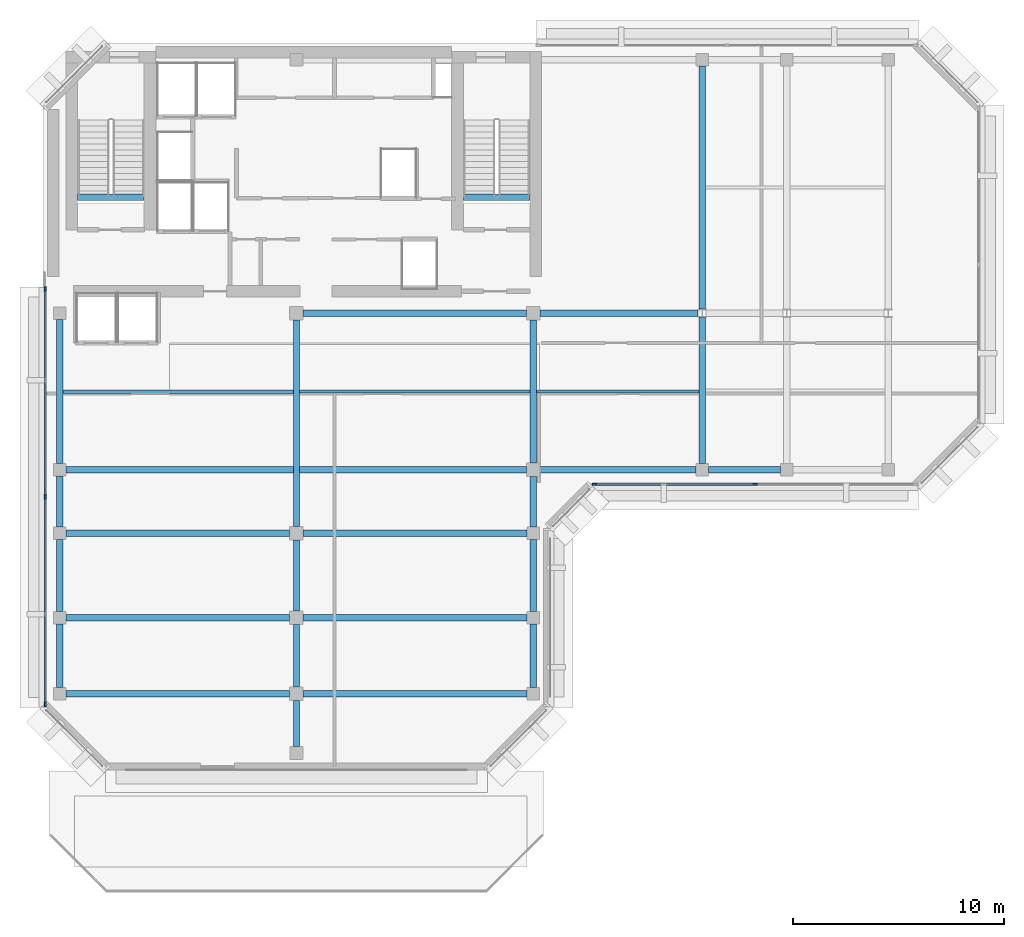
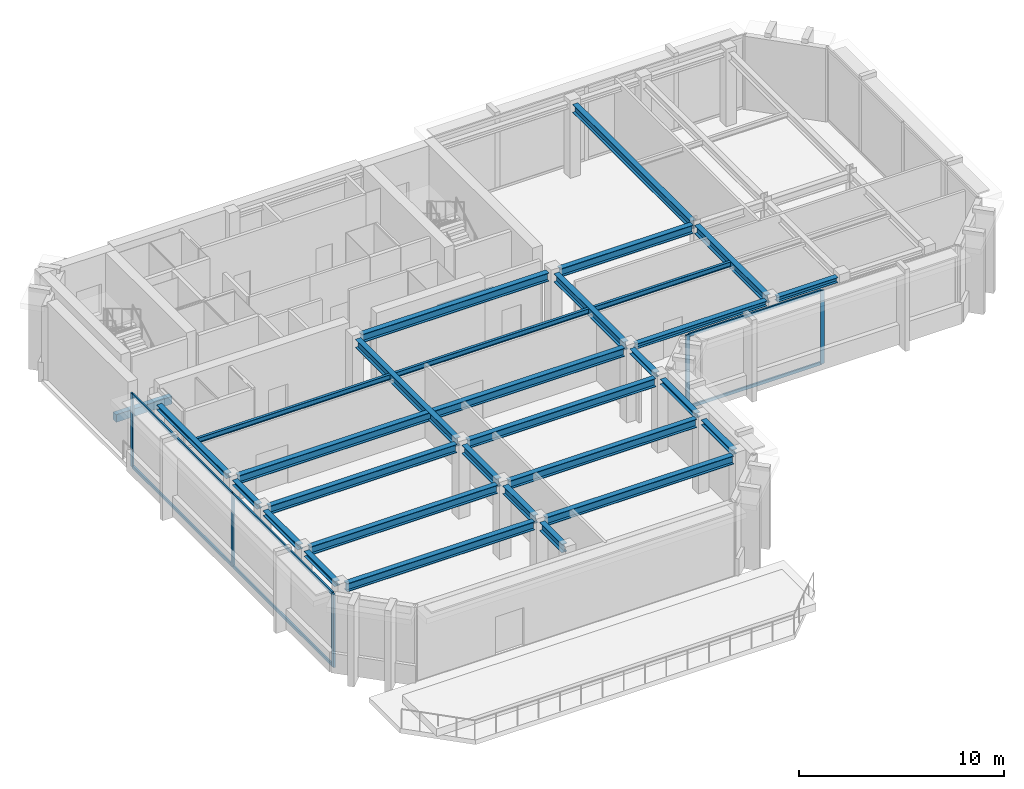
# One storey, part 2 of 11: 30 beams, 11 members, 2 elements without a shape of their own.
"""IFC4 building model written with IfcOpenShell, lengths in metres."""

from ifc_helpers import new_model, si_unit, direction, frame, origin, origin_2d, place, context, subcontext, project, spatial, rectangle, i_section, extrude, material, layer, layer_set, material_profile, profile_set, type_object, element, aggregate, save


model = new_model("IFC4")

# Units and contexts
model_context = context("Model", 3, precision=1e-05, world=origin(), true_north=direction((0.0, 1.0)))
body_context = subcontext(model_context, "Body", "Model", "MODEL_VIEW")
ifc_project = project(units=[si_unit("LENGTHUNIT", "METRE"), si_unit("AREAUNIT", "SQUARE_METRE"), si_unit("VOLUMEUNIT", "CUBIC_METRE"), si_unit("PLANEANGLEUNIT", "RADIAN"), si_unit("MASSUNIT", "GRAM", prefix="KILO")], contexts=[model_context])

# Site, building, storey
site_placement = place(None, origin())
site = spatial("IfcSite", under=ifc_project, at=site_placement, CompositionType="ELEMENT")
building_placement = place(site_placement, origin())
building = spatial("IfcBuilding", under=site, at=building_placement, Name="Kefirva Bronze Tower", CompositionType="ELEMENT")
storey_placement = place(building_placement, frame((0.0, 0.0, 347.489990234375)))
storey = spatial("IfcBuildingStorey", under=building, at=storey_placement, Name="L85", CompositionType="ELEMENT", Elevation=347.489990234375)

# Curtain wall, members
ifc_material_1 = material(Name="Bronze anodised aluminium", Category="aluminium")
ifc_layer = layer(ifc_material_1, 0.219970703125, Name="Bronze anodised aluminium")
ifc_layer_set = layer_set([ifc_layer], Name="Bronze anodised aluminium")
curtain_wall_type = type_object("IfcCurtainWallType", Name="Slanted Crown Faceted Bronze Curtain Wall", PredefinedType="USERDEFINED", material=ifc_layer_set)
curtain_wall_1_placement = place(storey_placement, origin())
curtain_wall_1 = element("IfcCurtainWall", 1, at=curtain_wall_1_placement, inside=storey, type_object=curtain_wall_type, Name="L85 Curtain Wall 1", ObjectType="UNITISED CURTAIN WALL", PredefinedType="USERDEFINED")
ifc_material_profile_1 = material_profile(ifc_material_1, rectangle(XDim=0.090087890625, YDim=0.219970703125, at=origin_2d()), Name="ALU 90x220")
ifc_profile_set_1 = profile_set([ifc_material_profile_1], Name="Bronze anodised aluminium")
member_type_1 = type_object("IfcMemberType", Name="Bronze Mullion 90x220", PredefinedType="MULLION", material=ifc_profile_set_1)
member_1_placement = place(storey_placement, frame((26.10009765625, 25.1201171875, 0.0), z_axis=(0.0, 0.0, 1.0), x_axis=(0.0, 1.0, 0.0)))
member_1 = element("IfcMember", 2, at=member_1_placement, type_object=member_type_1, Name="CW-07 mullion 1", PredefinedType="MULLION", context=body_context, shape_type="SweptSolid", body=[
    extrude(rectangle(XDim=0.090087890625, YDim=0.219970703125, at=origin_2d()), origin(), (0.0, 0.0, 1.0), 4.3701171875),
])
member_2_placement = place(storey_placement, frame((33.699951171875, 25.1201171875, 0.0), z_axis=(0.0, 0.0, 1.0), x_axis=(0.0, 1.0, 0.0)))
member_2 = element("IfcMember", 3, at=member_2_placement, type_object=member_type_1, Name="CW-07 mullion 2", PredefinedType="MULLION", context=body_context, shape_type="SweptSolid", body=[
    extrude(rectangle(XDim=0.090087890625, YDim=0.219970703125, at=origin_2d()), origin(), (0.0, 0.0, 1.0), 4.3701171875),
])

curtain_wall_2_placement = place(storey_placement, origin())
curtain_wall_2 = element("IfcCurtainWall", 4, at=curtain_wall_2_placement, inside=storey, type_object=curtain_wall_type, Name="L85 Curtain Wall 4", ObjectType="UNITISED CURTAIN WALL", PredefinedType="USERDEFINED")
member_3_placement = place(storey_placement, frame((0.1201171875, 34.35009765625, 0.0), z_axis=(0.0, 0.0, 1.0), x_axis=(1.0, 0.0, 0.0)))
member_3 = element("IfcMember", 5, at=member_3_placement, type_object=member_type_1, Name="CW-07 mullion 1", PredefinedType="MULLION", context=body_context, shape_type="SweptSolid", body=[
    extrude(rectangle(XDim=0.090087890625, YDim=0.219970703125, at=origin_2d()), origin(), (0.0, 0.0, 1.0), 4.3701171875),
])
member_4_placement = place(storey_placement, frame((0.1201171875, 24.52490234375, 0.0), z_axis=(0.0, 0.0, 1.0), x_axis=(1.0, 0.0, 0.0)))
member_4 = element("IfcMember", 6, at=member_4_placement, type_object=member_type_1, Name="CW-07 mullion 2", PredefinedType="MULLION", context=body_context, shape_type="SweptSolid", body=[
    extrude(rectangle(XDim=0.090087890625, YDim=0.219970703125, at=origin_2d()), origin(), (0.0, 0.0, 1.0), 4.3701171875),
])
member_5_placement = place(storey_placement, frame((0.1201171875, 14.699951171875, 0.0), z_axis=(0.0, 0.0, 1.0), x_axis=(1.0, 0.0, 0.0)))
member_5 = element("IfcMember", 7, at=member_5_placement, type_object=member_type_1, Name="CW-07 mullion 3", PredefinedType="MULLION", context=body_context, shape_type="SweptSolid", body=[
    extrude(rectangle(XDim=0.090087890625, YDim=0.219970703125, at=origin_2d()), origin(), (0.0, 0.0, 1.0), 4.3701171875),
])

# Member
ifc_material_profile_2 = material_profile(ifc_material_1, rectangle(XDim=0.090087890625, YDim=0.179931640625, at=origin_2d()), Name="ALU 90x180")
ifc_profile_set_2 = profile_set([ifc_material_profile_2], Name="Bronze anodised aluminium")
member_type_2 = type_object("IfcMemberType", Name="Bronze Transom 90x180", PredefinedType="USERDEFINED", material=ifc_profile_set_2)
member_6_placement = place(storey_placement, frame((26.14501953125, 25.1201171875, 0.044921875), z_axis=(1.0, 0.0, 0.0), x_axis=(0.0, 1.0, 0.0)))
member_6 = element("IfcMember", 8, at=member_6_placement, type_object=member_type_2, Name="CW-07 transom 1.1", ObjectType="TRANSOM", PredefinedType="USERDEFINED", context=body_context, shape_type="SweptSolid", body=[
    extrude(rectangle(XDim=0.090087890625, YDim=0.179931640625, at=origin_2d()), origin(), (0.0, 0.0, 1.0), 7.510009765625),
])

member_7_placement = place(storey_placement, frame((26.14501953125, 25.1201171875, 4.324951171875), z_axis=(1.0, 0.0, 0.0), x_axis=(0.0, 1.0, 0.0)))
member_7 = element("IfcMember", 9, at=member_7_placement, type_object=member_type_2, Name="CW-07 transom 1.2", ObjectType="TRANSOM", PredefinedType="USERDEFINED", context=body_context, shape_type="SweptSolid", body=[
    extrude(rectangle(XDim=0.090087890625, YDim=0.179931640625, at=origin_2d()), origin(), (0.0, 0.0, 1.0), 7.510009765625),
])

aggregate(curtain_wall_1, [member_1, member_2, member_6, member_7])

member_8_placement = place(storey_placement, frame((0.1201171875, 34.304931640625, 0.044921875), z_axis=(0.0, -1.0, 0.0), x_axis=(1.0, 0.0, 0.0)))
member_8 = element("IfcMember", 10, at=member_8_placement, type_object=member_type_2, Name="CW-07 transom 1.1", ObjectType="TRANSOM", PredefinedType="USERDEFINED", context=body_context, shape_type="SweptSolid", body=[
    extrude(rectangle(XDim=0.090087890625, YDim=0.179931640625, at=origin_2d()), origin(), (0.0, 0.0, 1.0), 9.73486328125),
])

member_9_placement = place(storey_placement, frame((0.1201171875, 34.304931640625, 4.324951171875), z_axis=(0.0, -1.0, 0.0), x_axis=(1.0, 0.0, 0.0)))
member_9 = element("IfcMember", 11, at=member_9_placement, type_object=member_type_2, Name="CW-07 transom 1.2", ObjectType="TRANSOM", PredefinedType="USERDEFINED", context=body_context, shape_type="SweptSolid", body=[
    extrude(rectangle(XDim=0.090087890625, YDim=0.179931640625, at=origin_2d()), origin(), (0.0, 0.0, 1.0), 9.73486328125),
])

member_10_placement = place(storey_placement, frame((0.1201171875, 24.47998046875, 0.044921875), z_axis=(0.0, -1.0, 0.0), x_axis=(1.0, 0.0, 0.0)))
member_10 = element("IfcMember", 12, at=member_10_placement, type_object=member_type_2, Name="CW-07 transom 2.1", ObjectType="TRANSOM", PredefinedType="USERDEFINED", context=body_context, shape_type="SweptSolid", body=[
    extrude(rectangle(XDim=0.090087890625, YDim=0.179931640625, at=origin_2d()), origin(), (0.0, 0.0, 1.0), 9.73486328125),
])

member_11_placement = place(storey_placement, frame((0.1201171875, 24.47998046875, 4.324951171875), z_axis=(0.0, -1.0, 0.0), x_axis=(1.0, 0.0, 0.0)))
member_11 = element("IfcMember", 13, at=member_11_placement, type_object=member_type_2, Name="CW-07 transom 2.2", ObjectType="TRANSOM", PredefinedType="USERDEFINED", context=body_context, shape_type="SweptSolid", body=[
    extrude(rectangle(XDim=0.090087890625, YDim=0.179931640625, at=origin_2d()), origin(), (0.0, 0.0, 1.0), 9.73486328125),
])

aggregate(curtain_wall_2, [member_3, member_4, member_5, member_8, member_9, member_10, member_11])

# Beams
ifc_material_2 = material(Name="Concrete C50/60", Category="concrete")
ifc_material_profile_3 = material_profile(ifc_material_2, rectangle(XDim=0.300048828125, YDim=0.449951171875, at=origin_2d()), Name="RC 300x450")
ifc_profile_set_3 = profile_set([ifc_material_profile_3], Name="Concrete C50/60")
beam_type_1 = type_object("IfcBeamType", Name="RC Stair Trimmer Beam 300x450", PredefinedType="BEAM", material=ifc_profile_set_3)
beam_1_placement = place(storey_placement, frame((1.64501953125, 38.699951171875, -0.22509765625), z_axis=(1.0, 0.0, 0.0), x_axis=(0.0, 1.0, 0.0)))
element("IfcBeam", 14, at=beam_1_placement, inside=storey, type_object=beam_type_1, Name="L85 Stair 1 Landing Trimmer Beam", PredefinedType="BEAM", context=body_context, shape_type="SweptSolid", body=[
    extrude(rectangle(XDim=0.300048828125, YDim=0.449951171875, at=origin_2d()), origin(), (0.0, 0.0, 1.0), 3.14990234375),
])
beam_2_placement = place(storey_placement, frame((19.89501953125, 38.699951171875, -0.22509765625), z_axis=(1.0, 0.0, 0.0), x_axis=(0.0, 1.0, 0.0)))
element("IfcBeam", 15, at=beam_2_placement, inside=storey, type_object=beam_type_1, Name="L85 Stair 2 Landing Trimmer Beam", PredefinedType="BEAM", context=body_context, shape_type="SweptSolid", body=[
    extrude(rectangle(XDim=0.300048828125, YDim=0.449951171875, at=origin_2d()), origin(), (0.0, 0.0, 1.0), 3.159912109375),
])
ifc_material_3 = material(Name="Steel S355", Category="steel")
ifc_material_profile_4 = material_profile(ifc_material_3, i_section(OverallWidth=0.14990234375, OverallDepth=0.300048828125, WebThickness=0.007080078125, FlangeThickness=0.0107421875, at=origin_2d()), Name="IPE 300")
ifc_profile_set_4 = profile_set([ifc_material_profile_4], Name="Steel S355")
beam_type_2 = type_object("IfcBeamType", Name="Steel Floor Joist IPE 300", PredefinedType="JOIST", material=ifc_profile_set_4)
for number, where, z_axis, x_axis, name in (
    (16, (0.949951171875, 29.489990234375, 4.219970703125), (1.0, 0.0, 0.0), (0.0, 1.0, 0.0), "L85 JST-L85-0-294"),
    (17, (12.14990234375, 29.5, 4.219970703125), (1.0, 0.0, 0.0), (0.0, 1.0, 0.0), "L85 JST-L85-12-295"),
):
    element("IfcBeam", number, at=place(storey_placement, frame(where, z_axis=z_axis, x_axis=x_axis)), inside=storey, type_object=beam_type_2, Name=name, PredefinedType="JOIST", context=body_context, shape_type="SweptSolid", body=[
        extrude(i_section(OverallWidth=0.14990234375, OverallDepth=0.300048828125, WebThickness=0.007080078125, FlangeThickness=0.0107421875, at=origin_2d()), origin(), (0.0, 0.0, 1.0), 10.900146484375),
    ])
beam_3_placement = place(storey_placement, frame((23.35009765625, 29.5, 4.219970703125), z_axis=(1.0, 0.0, 0.0), x_axis=(0.0, 1.0, 0.0)))
element("IfcBeam", 18, at=beam_3_placement, inside=storey, type_object=beam_type_2, Name="L85 JST-L85-23-295", PredefinedType="JOIST", context=body_context, shape_type="SweptSolid", body=[
    extrude(i_section(OverallWidth=0.14990234375, OverallDepth=0.300048828125, WebThickness=0.007080078125, FlangeThickness=0.0107421875, at=origin_2d()), origin(), (0.0, 0.0, 1.0), 7.699951171875),
])
ifc_material_profile_5 = material_profile(ifc_material_3, i_section(OverallWidth=0.300048828125, OverallDepth=0.5, WebThickness=0.014404296875, FlangeThickness=0.028076171875, at=origin_2d()), Name="HEB 500")
ifc_profile_set_5 = profile_set([ifc_material_profile_5], Name="Steel S355")
beam_type_3 = type_object("IfcBeamType", Name="Steel Girder HEB 500", PredefinedType="USERDEFINED", material=ifc_profile_set_5)
for number, where, z_axis, x_axis, name in (
    (19, (1.10009765625, 15.199951171875, 4.1201171875), (1.0, 0.0, 0.0), (0.0, 1.0, 0.0), "L85 BM-L85-EW-0-152"),
    (20, (12.320068359375, 15.199951171875, 4.1201171875), (1.0, 0.0, 0.0), (0.0, 1.0, 0.0), "L85 BM-L85-EW-12-152"),
    (21, (1.10009765625, 18.800048828125, 4.1201171875), (1.0, 0.0, 0.0), (0.0, 1.0, 0.0), "L85 BM-L85-EW-0-188"),
    (22, (12.320068359375, 18.800048828125, 4.1201171875), (1.0, 0.0, 0.0), (0.0, 1.0, 0.0), "L85 BM-L85-EW-12-188"),
    (23, (1.10009765625, 22.800048828125, 4.1201171875), (1.0, 0.0, 0.0), (0.0, 1.0, 0.0), "L85 BM-L85-EW-0-228"),
    (24, (12.320068359375, 22.800048828125, 4.1201171875), (1.0, 0.0, 0.0), (0.0, 1.0, 0.0), "L85 BM-L85-EW-12-228"),
):
    element("IfcBeam", number, at=place(storey_placement, frame(where, z_axis=z_axis, x_axis=x_axis)), inside=storey, type_object=beam_type_3, Name=name, ObjectType="GIRDER", PredefinedType="USERDEFINED", context=body_context, shape_type="SweptSolid", body=[
        extrude(i_section(OverallWidth=0.300048828125, OverallDepth=0.5, WebThickness=0.014404296875, FlangeThickness=0.028076171875, at=origin_2d()), origin(), (0.0, 0.0, 1.0), 10.579833984375),
    ])
beam_4_placement = place(storey_placement, frame((1.10009765625, 25.800048828125, 4.1201171875), z_axis=(1.0, 0.0, 0.0), x_axis=(0.0, 1.0, 0.0)))
element("IfcBeam", 25, at=beam_4_placement, inside=storey, type_object=beam_type_3, Name="L85 BM-L85-EW-0-258", ObjectType="GIRDER", PredefinedType="USERDEFINED", context=body_context, shape_type="SweptSolid", body=[
    extrude(i_section(OverallWidth=0.300048828125, OverallDepth=0.5, WebThickness=0.014404296875, FlangeThickness=0.028076171875, at=origin_2d()), origin(), (0.0, 0.0, 1.0), 21.77978515625),
])
beam_5_placement = place(storey_placement, frame((12.320068359375, 33.199951171875, 4.1201171875), z_axis=(1.0, 0.0, 0.0), x_axis=(0.0, 1.0, 0.0)))
element("IfcBeam", 26, at=beam_5_placement, inside=storey, type_object=beam_type_3, Name="L85 BM-L85-EW-12-332", ObjectType="GIRDER", PredefinedType="USERDEFINED", context=body_context, shape_type="SweptSolid", body=[
    extrude(i_section(OverallWidth=0.300048828125, OverallDepth=0.5, WebThickness=0.014404296875, FlangeThickness=0.028076171875, at=origin_2d()), origin(), (0.0, 0.0, 1.0), 10.559814453125),
])
beam_6_placement = place(storey_placement, frame((23.52001953125, 33.199951171875, 4.1201171875), z_axis=(1.0, 0.0, 0.0), x_axis=(0.0, 1.0, 0.0)))
element("IfcBeam", 27, at=beam_6_placement, inside=storey, type_object=beam_type_3, Name="L85 BM-L85-EW-23-332", ObjectType="GIRDER", PredefinedType="USERDEFINED", context=body_context, shape_type="SweptSolid", body=[
    extrude(i_section(OverallWidth=0.300048828125, OverallDepth=0.5, WebThickness=0.014404296875, FlangeThickness=0.028076171875, at=origin_2d()), origin(), (0.0, 0.0, 1.0), 7.491455078125),
])
beam_7_placement = place(storey_placement, frame((12.0, 12.699951171875, 4.1201171875), z_axis=(0.0, 1.0, 0.0), x_axis=(-1.0, 0.0, 0.0)))
element("IfcBeam", 28, at=beam_7_placement, inside=storey, type_object=beam_type_3, Name="L85 BM-L85-NS-120-12", ObjectType="GIRDER", PredefinedType="USERDEFINED", context=body_context, shape_type="SweptSolid", body=[
    extrude(i_section(OverallWidth=0.300048828125, OverallDepth=0.5, WebThickness=0.014404296875, FlangeThickness=0.028076171875, at=origin_2d()), origin(), (0.0, 0.0, 1.0), 2.179931640625),
])
beam_8_placement = place(storey_placement, frame((12.0, 15.52001953125, 4.1201171875), z_axis=(0.0, 1.0, 0.0), x_axis=(-1.0, 0.0, 0.0)))
element("IfcBeam", 29, at=beam_8_placement, inside=storey, type_object=beam_type_3, Name="L85 BM-L85-NS-120-15", ObjectType="GIRDER", PredefinedType="USERDEFINED", context=body_context, shape_type="SweptSolid", body=[
    extrude(i_section(OverallWidth=0.300048828125, OverallDepth=0.5, WebThickness=0.014404296875, FlangeThickness=0.028076171875, at=origin_2d()), origin(), (0.0, 0.0, 1.0), 2.9599609375),
])
beam_9_placement = place(storey_placement, frame((12.0, 19.1201171875, 4.1201171875), z_axis=(0.0, 1.0, 0.0), x_axis=(-1.0, 0.0, 0.0)))
element("IfcBeam", 30, at=beam_9_placement, inside=storey, type_object=beam_type_3, Name="L85 BM-L85-NS-120-18", ObjectType="GIRDER", PredefinedType="USERDEFINED", context=body_context, shape_type="SweptSolid", body=[
    extrude(i_section(OverallWidth=0.300048828125, OverallDepth=0.5, WebThickness=0.014404296875, FlangeThickness=0.028076171875, at=origin_2d()), origin(), (0.0, 0.0, 1.0), 3.35986328125),
])
beam_10_placement = place(storey_placement, frame((12.0, 23.1201171875, 4.1201171875), z_axis=(0.0, 1.0, 0.0), x_axis=(-1.0, 0.0, 0.0)))
element("IfcBeam", 31, at=beam_10_placement, inside=storey, type_object=beam_type_3, Name="L85 BM-L85-NS-120-22", ObjectType="GIRDER", PredefinedType="USERDEFINED", context=body_context, shape_type="SweptSolid", body=[
    extrude(i_section(OverallWidth=0.300048828125, OverallDepth=0.5, WebThickness=0.014404296875, FlangeThickness=0.028076171875, at=origin_2d()), origin(), (0.0, 0.0, 1.0), 9.759765625),
])
beam_11_placement = place(storey_placement, frame((23.199951171875, 26.1201171875, 4.1201171875), z_axis=(0.0, 1.0, 0.0), x_axis=(-1.0, 0.0, 0.0)))
element("IfcBeam", 32, at=beam_11_placement, inside=storey, type_object=beam_type_3, Name="L85 BM-L85-NS-232-25", ObjectType="GIRDER", PredefinedType="USERDEFINED", context=body_context, shape_type="SweptSolid", body=[
    extrude(i_section(OverallWidth=0.300048828125, OverallDepth=0.5, WebThickness=0.014404296875, FlangeThickness=0.028076171875, at=origin_2d()), origin(), (0.0, 0.0, 1.0), 6.759765625),
])
beam_12_placement = place(storey_placement, frame((31.199951171875, 26.10009765625, 4.1201171875), z_axis=(0.0, 1.0, 0.0), x_axis=(-1.0, 0.0, 0.0)))
element("IfcBeam", 33, at=beam_12_placement, inside=storey, type_object=beam_type_3, Name="L85 BM-L85-NS-312-25", ObjectType="GIRDER", PredefinedType="USERDEFINED", context=body_context, shape_type="SweptSolid", body=[
    extrude(i_section(OverallWidth=0.300048828125, OverallDepth=0.5, WebThickness=0.014404296875, FlangeThickness=0.028076171875, at=origin_2d()), origin(), (0.0, 0.0, 1.0), 6.906494140625),
])
beam_13_placement = place(storey_placement, frame((31.199951171875, 33.3935546875, 4.1201171875), z_axis=(0.0, 1.0, 0.0), x_axis=(-1.0, 0.0, 0.0)))
element("IfcBeam", 34, at=beam_13_placement, inside=storey, type_object=beam_type_3, Name="L85 BM-L85-NS-312-33", ObjectType="GIRDER", PredefinedType="USERDEFINED", context=body_context, shape_type="SweptSolid", body=[
    extrude(i_section(OverallWidth=0.300048828125, OverallDepth=0.5, WebThickness=0.014404296875, FlangeThickness=0.028076171875, at=origin_2d()), origin(), (0.0, 0.0, 1.0), 11.50634765625),
])
ifc_material_profile_6 = material_profile(ifc_material_3, i_section(OverallWidth=0.300048828125, OverallDepth=0.300048828125, WebThickness=0.010986328125, FlangeThickness=0.01904296875, at=origin_2d()), Name="HEB 300")
ifc_profile_set_6 = profile_set([ifc_material_profile_6], Name="Steel S355")
beam_type_4 = type_object("IfcBeamType", Name="Steel Spandrel HEB 300 Ext", PredefinedType="SPANDREL", material=ifc_profile_set_6)
beam_14_placement = place(storey_placement, frame((23.52001953125, 25.800048828125, 4.219970703125), z_axis=(1.0, 0.0, 0.0), x_axis=(0.0, 1.0, 0.0)))
element("IfcBeam", 35, at=beam_14_placement, inside=storey, type_object=beam_type_4, Name="L85 BM-L85-EW-23-258", PredefinedType="SPANDREL", context=body_context, shape_type="SweptSolid", body=[
    extrude(i_section(OverallWidth=0.300048828125, OverallDepth=0.300048828125, WebThickness=0.010986328125, FlangeThickness=0.01904296875, at=origin_2d()), origin(), (0.0, 0.0, 1.0), 7.3798828125),
])
beam_15_placement = place(storey_placement, frame((31.5, 25.800048828125, 4.219970703125), z_axis=(1.0, 0.0, 0.0), x_axis=(0.0, 1.0, 0.0)))
element("IfcBeam", 36, at=beam_15_placement, inside=storey, type_object=beam_type_4, Name="L85 BM-L85-EW-31-258", PredefinedType="SPANDREL", context=body_context, shape_type="SweptSolid", body=[
    extrude(i_section(OverallWidth=0.300048828125, OverallDepth=0.300048828125, WebThickness=0.010986328125, FlangeThickness=0.01904296875, at=origin_2d()), origin(), (0.0, 0.0, 1.0), 3.39990234375),
])
beam_16_placement = place(storey_placement, frame((0.800048828125, 15.5, 4.219970703125), z_axis=(0.0, 1.0, 0.0), x_axis=(-1.0, 0.0, 0.0)))
element("IfcBeam", 37, at=beam_16_placement, inside=storey, type_object=beam_type_4, Name="L85 BM-L85-NS-8-15", PredefinedType="SPANDREL", context=body_context, shape_type="SweptSolid", body=[
    extrude(i_section(OverallWidth=0.300048828125, OverallDepth=0.300048828125, WebThickness=0.010986328125, FlangeThickness=0.01904296875, at=origin_2d()), origin(), (0.0, 0.0, 1.0), 3.0),
])
beam_17_placement = place(storey_placement, frame((0.800048828125, 19.10009765625, 4.219970703125), z_axis=(0.0, 1.0, 0.0), x_axis=(-1.0, 0.0, 0.0)))
element("IfcBeam", 38, at=beam_17_placement, inside=storey, type_object=beam_type_4, Name="L85 BM-L85-NS-8-18", PredefinedType="SPANDREL", context=body_context, shape_type="SweptSolid", body=[
    extrude(i_section(OverallWidth=0.300048828125, OverallDepth=0.300048828125, WebThickness=0.010986328125, FlangeThickness=0.01904296875, at=origin_2d()), origin(), (0.0, 0.0, 1.0), 3.39990234375),
])
beam_18_placement = place(storey_placement, frame((0.800048828125, 23.10009765625, 4.219970703125), z_axis=(0.0, 1.0, 0.0), x_axis=(-1.0, 0.0, 0.0)))
element("IfcBeam", 39, at=beam_18_placement, inside=storey, type_object=beam_type_4, Name="L85 BM-L85-NS-8-22", PredefinedType="SPANDREL", context=body_context, shape_type="SweptSolid", body=[
    extrude(i_section(OverallWidth=0.300048828125, OverallDepth=0.300048828125, WebThickness=0.010986328125, FlangeThickness=0.01904296875, at=origin_2d()), origin(), (0.0, 0.0, 1.0), 2.39990234375),
])
beam_19_placement = place(storey_placement, frame((0.800048828125, 26.10009765625, 4.219970703125), z_axis=(0.0, 1.0, 0.0), x_axis=(-1.0, 0.0, 0.0)))
element("IfcBeam", 40, at=beam_19_placement, inside=storey, type_object=beam_type_4, Name="L85 BM-L85-NS-8-25", PredefinedType="SPANDREL", context=body_context, shape_type="SweptSolid", body=[
    extrude(i_section(OverallWidth=0.300048828125, OverallDepth=0.300048828125, WebThickness=0.010986328125, FlangeThickness=0.01904296875, at=origin_2d()), origin(), (0.0, 0.0, 1.0), 6.7998046875),
])
beam_20_placement = place(storey_placement, frame((23.199951171875, 15.5, 4.219970703125), z_axis=(0.0, 1.0, 0.0), x_axis=(-1.0, 0.0, 0.0)))
element("IfcBeam", 41, at=beam_20_placement, inside=storey, type_object=beam_type_4, Name="L85 BM-L85-NS-232-15", PredefinedType="SPANDREL", context=body_context, shape_type="SweptSolid", body=[
    extrude(i_section(OverallWidth=0.300048828125, OverallDepth=0.300048828125, WebThickness=0.010986328125, FlangeThickness=0.01904296875, at=origin_2d()), origin(), (0.0, 0.0, 1.0), 3.0),
])
beam_21_placement = place(storey_placement, frame((23.199951171875, 19.10009765625, 4.219970703125), z_axis=(0.0, 1.0, 0.0), x_axis=(-1.0, 0.0, 0.0)))
element("IfcBeam", 42, at=beam_21_placement, inside=storey, type_object=beam_type_4, Name="L85 BM-L85-NS-232-18", PredefinedType="SPANDREL", context=body_context, shape_type="SweptSolid", body=[
    extrude(i_section(OverallWidth=0.300048828125, OverallDepth=0.300048828125, WebThickness=0.010986328125, FlangeThickness=0.01904296875, at=origin_2d()), origin(), (0.0, 0.0, 1.0), 3.39990234375),
])
beam_22_placement = place(storey_placement, frame((23.199951171875, 23.10009765625, 4.219970703125), z_axis=(0.0, 1.0, 0.0), x_axis=(-1.0, 0.0, 0.0)))
element("IfcBeam", 43, at=beam_22_placement, inside=storey, type_object=beam_type_4, Name="L85 BM-L85-NS-232-22", PredefinedType="SPANDREL", context=body_context, shape_type="SweptSolid", body=[
    extrude(i_section(OverallWidth=0.300048828125, OverallDepth=0.300048828125, WebThickness=0.010986328125, FlangeThickness=0.01904296875, at=origin_2d()), origin(), (0.0, 0.0, 1.0), 2.3798828125),
])

save(model, "model.ifc")
